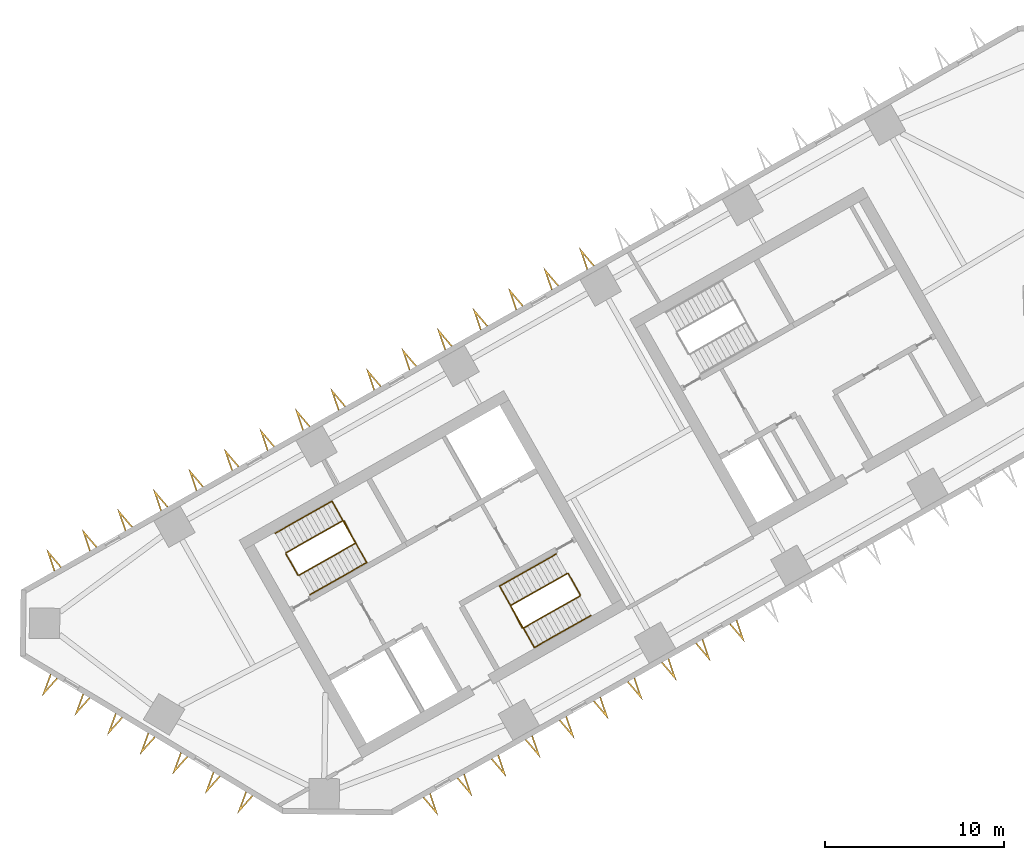
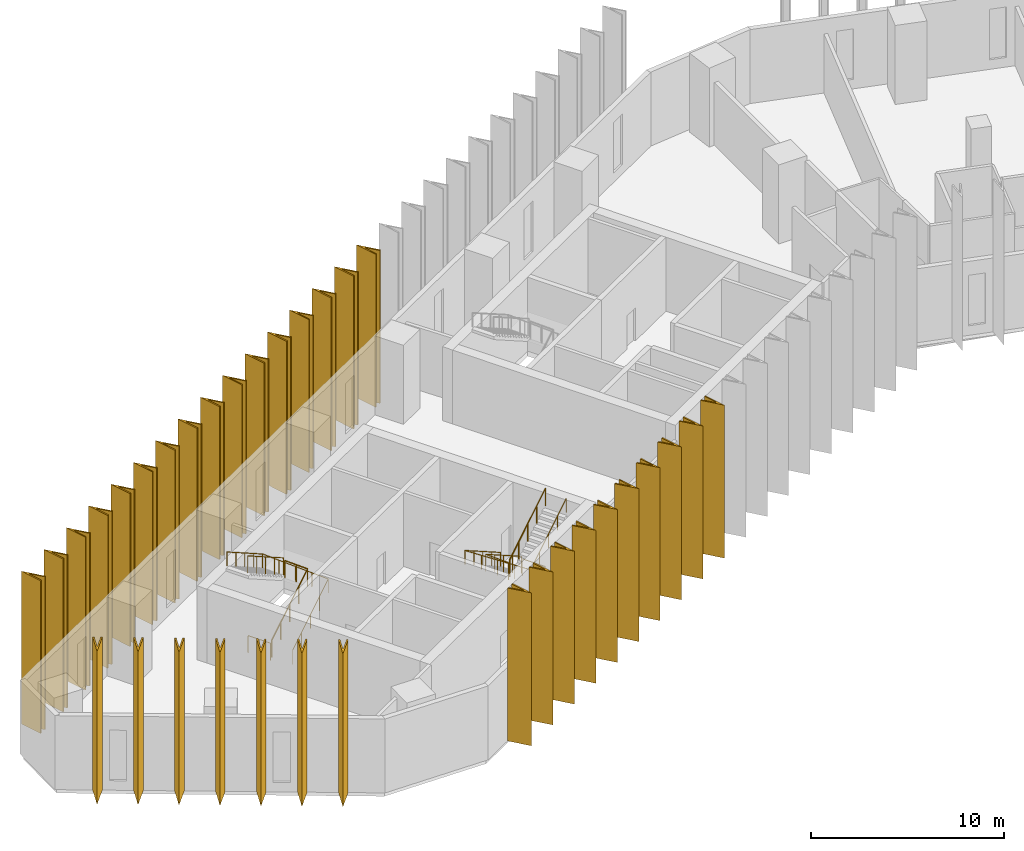
# One storey, part 9 of 11: 33 shading devices, 8 railings.
"""IFC4 building model written with IfcOpenShell, lengths in metres."""

from ifc_helpers import new_model, si_unit, direction, frame, origin, origin_2d, place, context, subcontext, project, spatial, polyline, circle, outline, extrude, material, type_object, element, save


model = new_model("IFC4")

# Units and contexts
model_context = context("Model", 3, precision=1e-05, world=origin(), true_north=direction((0.0, 1.0)))
body_context = subcontext(model_context, "Body", "Model", "MODEL_VIEW")
ifc_project = project(units=[si_unit("LENGTHUNIT", "METRE"), si_unit("AREAUNIT", "SQUARE_METRE"), si_unit("VOLUMEUNIT", "CUBIC_METRE"), si_unit("PLANEANGLEUNIT", "RADIAN"), si_unit("MASSUNIT", "GRAM", prefix="KILO")], contexts=[model_context])

# Site, building, storey
site_placement = place(None, origin())
site = spatial("IfcSite", under=ifc_project, at=site_placement, CompositionType="ELEMENT")
building_placement = place(site_placement, origin())
building = spatial("IfcBuilding", under=site, at=building_placement, Name="Binnacle Exchange Tower", CompositionType="ELEMENT")
storey_placement = place(building_placement, frame((0.0, 0.0, 76.5)))
storey = spatial("IfcBuildingStorey", under=building, at=storey_placement, Name="L15", CompositionType="ELEMENT", Elevation=76.5)

# Railings
ifc_material_1 = material(Name="Steel guard rail", Category="steel")
railing_type_1 = type_object("IfcRailingType", Name="STAIR GUARD 1100", PredefinedType="GUARDRAIL", material=ifc_material_1)
railing_1_placement = place(storey_placement, frame((-43.26171875, 39.71728515625, 0.178466796875)))
element("IfcRailing", 1, at=railing_1_placement, inside=storey, type_object=railing_type_1, Name="L15 STA1 stair guard 1", PredefinedType="GUARDRAIL", context=body_context, shape_type="SweptSolid", body=[
    extrude(circle(Radius=0.02392578125, at=origin_2d()), frame((0.0, 0.0, 1.076171875), z_axis=(0.733795554141, 0.415191658331, 0.537735968274), x_axis=(-0.492450612189, 0.870340390052, 0.0)), (0.0, 0.0, 1.0), 4.317138671875),
    extrude(circle(Radius=0.02392578125, at=origin_2d()), frame((3.16796875, 1.79248046875, 3.3974609375), z_axis=(-0.460963092712, 0.887419307406, 0.0), x_axis=(-0.887419307406, -0.460963092712, 0.0)), (0.0, 0.0, 1.0), 1.40087890625),
    extrude(circle(Radius=0.02099609375, at=origin_2d()), origin(), (0.0, 0.0, 1.0), 1.052001953125),
    extrude(circle(Radius=0.02099609375, at=origin_2d()), frame((0.7919921875, 0.4482421875, 0.580322265625)), (0.0, 0.0, 1.0), 1.052001953125),
    extrude(circle(Radius=0.02099609375, at=origin_2d()), frame((1.583984375, 0.896240234375, 1.16064453125)), (0.0, 0.0, 1.0), 1.052001953125),
    extrude(circle(Radius=0.02099609375, at=origin_2d()), frame((2.3759765625, 1.34423828125, 1.7412109375)), (0.0, 0.0, 1.0), 1.052001953125),
    extrude(circle(Radius=0.02099609375, at=origin_2d()), frame((3.16796875, 1.79248046875, 2.321533203125)), (0.0, 0.0, 1.0), 1.052001953125),
    extrude(circle(Radius=0.02099609375, at=origin_2d()), frame((2.84521484375, 2.4140625, 2.321533203125)), (0.0, 0.0, 1.0), 1.052001953125),
    extrude(circle(Radius=0.02099609375, at=origin_2d()), frame((2.522216796875, 3.03564453125, 2.321533203125)), (0.0, 0.0, 1.0), 1.052001953125),
])
railing_2_placement = place(storey_placement, frame((-40.8076171875, 42.771728515625, 2.678466796875)))
element("IfcRailing", 2, at=railing_2_placement, inside=storey, type_object=railing_type_1, Name="L15 STA1 stair guard 2", PredefinedType="GUARDRAIL", context=body_context, shape_type="SweptSolid", body=[
    extrude(circle(Radius=0.02392578125, at=origin_2d()), frame((0.0, 0.0, 1.076171875), z_axis=(-0.733821652932, -0.415174429824, 0.537713654753), x_axis=(0.492421866095, -0.870356654361, 0.0)), (0.0, 0.0, 1.0), 4.3173828125),
    extrude(circle(Radius=0.02099609375, at=origin_2d()), origin(), (0.0, 0.0, 1.0), 1.052001953125),
    extrude(circle(Radius=0.02099609375, at=origin_2d()), frame((-0.7919921875, -0.4482421875, 0.580322265625)), (0.0, 0.0, 1.0), 1.052001953125),
    extrude(circle(Radius=0.02099609375, at=origin_2d()), frame((-1.583984375, -0.896240234375, 1.16064453125)), (0.0, 0.0, 1.0), 1.052001953125),
    extrude(circle(Radius=0.02099609375, at=origin_2d()), frame((-2.376220703125, -1.34423828125, 1.7412109375)), (0.0, 0.0, 1.0), 1.052001953125),
    extrude(circle(Radius=0.02099609375, at=origin_2d()), frame((-3.168212890625, -1.79248046875, 2.321533203125)), (0.0, 0.0, 1.0), 1.052001953125),
])
railing_3_placement = place(storey_placement, frame((-43.329833984375, 39.736328125, 0.0)))
element("IfcRailing", 3, at=railing_3_placement, inside=storey, type_object=railing_type_1, Name="L15 STA1 stair guard 3", PredefinedType="GUARDRAIL", context=body_context, shape_type="SweptSolid", body=[
    extrude(circle(Radius=0.02392578125, at=origin_2d()), frame((0.0, 0.0, 1.076171875), z_axis=(-0.4924922531, 0.870316827734, 0.0), x_axis=(-0.870316827734, -0.4924922531, 0.0)), (0.0, 0.0, 1.0), 1.349853515625),
    extrude(circle(Radius=0.02099609375, at=origin_2d()), origin(), (0.0, 0.0, 1.0), 1.052001953125),
    extrude(circle(Radius=0.02099609375, at=origin_2d()), frame((-0.33251953125, 0.58740234375, 0.0)), (0.0, 0.0, 1.0), 1.052001953125),
    extrude(circle(Radius=0.02099609375, at=origin_2d()), frame((-0.664794921875, 1.1748046875, 0.0)), (0.0, 0.0, 1.0), 1.052001953125),
])
railing_4_placement = place(storey_placement, frame((-28.265380859375, 39.814453125, 0.178466796875)))
element("IfcRailing", 4, at=railing_4_placement, inside=storey, type_object=railing_type_1, Name="L15 STA2 stair guard 1", PredefinedType="GUARDRAIL", context=body_context, shape_type="SweptSolid", body=[
    extrude(circle(Radius=0.02392578125, at=origin_2d()), frame((0.0, 0.0, 1.076171875), z_axis=(-0.733821652932, -0.415174429824, 0.537713654753), x_axis=(0.492421866095, -0.870356654361, 0.0)), (0.0, 0.0, 1.0), 4.3173828125),
    extrude(circle(Radius=0.02392578125, at=origin_2d()), frame((-3.168212890625, -1.79248046875, 3.3974609375), z_axis=(0.461100321709, -0.887348011391, 0.0), x_axis=(0.887348011391, 0.461100321709, 0.0)), (0.0, 0.0, 1.0), 1.40087890625),
    extrude(circle(Radius=0.02099609375, at=origin_2d()), origin(), (0.0, 0.0, 1.0), 1.052001953125),
    extrude(circle(Radius=0.02099609375, at=origin_2d()), frame((-0.7919921875, -0.4482421875, 0.580322265625)), (0.0, 0.0, 1.0), 1.052001953125),
    extrude(circle(Radius=0.02099609375, at=origin_2d()), frame((-1.583984375, -0.896240234375, 1.16064453125)), (0.0, 0.0, 1.0), 1.052001953125),
    extrude(circle(Radius=0.02099609375, at=origin_2d()), frame((-2.376220703125, -1.34423828125, 1.7412109375)), (0.0, 0.0, 1.0), 1.052001953125),
    extrude(circle(Radius=0.02099609375, at=origin_2d()), frame((-3.168212890625, -1.79248046875, 2.321533203125)), (0.0, 0.0, 1.0), 1.052001953125),
    extrude(circle(Radius=0.02099609375, at=origin_2d()), frame((-2.84521484375, -2.4140625, 2.321533203125)), (0.0, 0.0, 1.0), 1.052001953125),
    extrude(circle(Radius=0.02099609375, at=origin_2d()), frame((-2.522216796875, -3.03564453125, 2.321533203125)), (0.0, 0.0, 1.0), 1.052001953125),
])
railing_5_placement = place(storey_placement, frame((-30.719482421875, 36.760009765625, 2.678466796875)))
element("IfcRailing", 5, at=railing_5_placement, inside=storey, type_object=railing_type_1, Name="L15 STA2 stair guard 2", PredefinedType="GUARDRAIL", context=body_context, shape_type="SweptSolid", body=[
    extrude(circle(Radius=0.02392578125, at=origin_2d()), frame((0.0, 0.0, 1.076171875), z_axis=(0.733795554141, 0.415191658331, 0.537735968274), x_axis=(-0.492450612189, 0.870340390052, 0.0)), (0.0, 0.0, 1.0), 4.317138671875),
    extrude(circle(Radius=0.02099609375, at=origin_2d()), origin(), (0.0, 0.0, 1.0), 1.052001953125),
    extrude(circle(Radius=0.02099609375, at=origin_2d()), frame((0.7919921875, 0.4482421875, 0.580322265625)), (0.0, 0.0, 1.0), 1.052001953125),
    extrude(circle(Radius=0.02099609375, at=origin_2d()), frame((1.583984375, 0.896240234375, 1.16064453125)), (0.0, 0.0, 1.0), 1.052001953125),
    extrude(circle(Radius=0.02099609375, at=origin_2d()), frame((2.3759765625, 1.34423828125, 1.7412109375)), (0.0, 0.0, 1.0), 1.052001953125),
    extrude(circle(Radius=0.02099609375, at=origin_2d()), frame((3.16796875, 1.79248046875, 2.321533203125)), (0.0, 0.0, 1.0), 1.052001953125),
])
railing_6_placement = place(storey_placement, frame((-28.197265625, 39.795654296875, 0.0)))
element("IfcRailing", 6, at=railing_6_placement, inside=storey, type_object=railing_type_1, Name="L15 STA2 stair guard 3", PredefinedType="GUARDRAIL", context=body_context, shape_type="SweptSolid", body=[
    extrude(circle(Radius=0.02392578125, at=origin_2d()), frame((0.0, 0.0, 1.076171875), z_axis=(0.49241474071, -0.870360685654, 0.0), x_axis=(0.870360685654, 0.49241474071, 0.0)), (0.0, 0.0, 1.0), 1.35009765625),
    extrude(circle(Radius=0.02099609375, at=origin_2d()), origin(), (0.0, 0.0, 1.0), 1.052001953125),
    extrude(circle(Radius=0.02099609375, at=origin_2d()), frame((0.33251953125, -0.58740234375, 0.0)), (0.0, 0.0, 1.0), 1.052001953125),
    extrude(circle(Radius=0.02099609375, at=origin_2d()), frame((0.664794921875, -1.175048828125, 0.0)), (0.0, 0.0, 1.0), 1.052001953125),
])
ifc_material_2 = material(Name="Steel handrail", Category="steel")
railing_type_2 = type_object("IfcRailingType", Name="STAIR HANDRAIL 900", PredefinedType="HANDRAIL", material=ifc_material_2)
railing_7_placement = place(storey_placement, frame((-42.646240234375, 38.62939453125, 0.178466796875)))
element("IfcRailing", 7, at=railing_7_placement, inside=storey, type_object=railing_type_2, Name="L15 STA1 stair handrail 1", PredefinedType="HANDRAIL", context=body_context, shape_type="SweptSolid", body=[
    extrude(circle(Radius=0.02392578125, at=origin_2d()), frame((0.0, 0.0, 0.8759765625), z_axis=(0.733821652932, 0.415174429824, 0.537713654753), x_axis=(-0.492421866095, 0.870356654361, 0.0)), (0.0, 0.0, 1.0), 4.3173828125),
    extrude(circle(Radius=0.02392578125, at=origin_2d()), frame((3.168212890625, 1.79248046875, 3.197265625), z_axis=(-0.491985021148, 0.869432866815, 0.045135674003), x_axis=(-0.870319839224, -0.492486931251, 0.0)), (0.0, 0.0, 1.0), 3.9541015625),
    extrude(circle(Radius=0.02392578125, at=origin_2d()), frame((1.222900390625, 5.230224609375, 3.3759765625), z_axis=(-0.733812782489, -0.415144854829, 0.537748593457), x_axis=(0.492399802317, -0.870369137021, 0.0)), (0.0, 0.0, 1.0), 4.317138671875),
    extrude(circle(Radius=0.02099609375, at=origin_2d()), origin(), (0.0, 0.0, 1.0), 0.851806640625),
    extrude(circle(Radius=0.02099609375, at=origin_2d()), frame((0.7919921875, 0.4482421875, 0.580322265625)), (0.0, 0.0, 1.0), 0.851806640625),
    extrude(circle(Radius=0.02099609375, at=origin_2d()), frame((1.583984375, 0.896240234375, 1.16064453125)), (0.0, 0.0, 1.0), 0.851806640625),
    extrude(circle(Radius=0.02099609375, at=origin_2d()), frame((2.376220703125, 1.34423828125, 1.7412109375)), (0.0, 0.0, 1.0), 0.851806640625),
    extrude(circle(Radius=0.02099609375, at=origin_2d()), frame((3.168212890625, 1.79248046875, 2.321533203125)), (0.0, 0.0, 1.0), 0.851806640625),
    extrude(circle(Radius=0.02099609375, at=origin_2d()), frame((2.681884765625, 2.65185546875, 2.3662109375)), (0.0, 0.0, 1.0), 0.851806640625),
    extrude(circle(Radius=0.02099609375, at=origin_2d()), frame((2.195556640625, 3.51123046875, 2.41064453125)), (0.0, 0.0, 1.0), 0.851806640625),
    extrude(circle(Radius=0.02099609375, at=origin_2d()), frame((1.709228515625, 4.370849609375, 2.455322265625)), (0.0, 0.0, 1.0), 0.851806640625),
    extrude(circle(Radius=0.02099609375, at=origin_2d()), frame((1.222900390625, 5.230224609375, 2.5)), (0.0, 0.0, 1.0), 0.851806640625),
    extrude(circle(Radius=0.02099609375, at=origin_2d()), frame((0.430908203125, 4.7822265625, 3.080322265625)), (0.0, 0.0, 1.0), 0.851806640625),
    extrude(circle(Radius=0.02099609375, at=origin_2d()), frame((-0.361083984375, 4.333984375, 3.66064453125)), (0.0, 0.0, 1.0), 0.851806640625),
    extrude(circle(Radius=0.02099609375, at=origin_2d()), frame((-1.153076171875, 3.885986328125, 4.2412109375)), (0.0, 0.0, 1.0), 0.851806640625),
    extrude(circle(Radius=0.02099609375, at=origin_2d()), frame((-1.945068359375, 3.43798828125, 4.821533203125)), (0.0, 0.0, 1.0), 0.851806640625),
])
railing_8_placement = place(storey_placement, frame((-28.880859375, 40.90234375, 0.178466796875)))
element("IfcRailing", 8, at=railing_8_placement, inside=storey, type_object=railing_type_2, Name="L15 STA2 stair handrail 1", PredefinedType="HANDRAIL", context=body_context, shape_type="SweptSolid", body=[
    extrude(circle(Radius=0.02392578125, at=origin_2d()), frame((0.0, 0.0, 0.8759765625), z_axis=(-0.733838880464, -0.415127627455, 0.537726278364), x_axis=(0.492371057291, -0.870385398511, 0.0)), (0.0, 0.0, 1.0), 4.3173828125),
    extrude(circle(Radius=0.02392578125, at=origin_2d()), frame((-3.168212890625, -1.792236328125, 3.197265625), z_axis=(0.491911810019, -0.86947434526, 0.045134621956), x_axis=(0.870361318571, 0.492413622004, 0.0)), (0.0, 0.0, 1.0), 3.9541015625),
    extrude(circle(Radius=0.02392578125, at=origin_2d()), frame((-1.22314453125, -5.230224609375, 3.3759765625), z_axis=(0.733821652932, 0.415174429824, 0.537713654753), x_axis=(-0.492421866095, 0.870356654361, 0.0)), (0.0, 0.0, 1.0), 4.3173828125),
    extrude(circle(Radius=0.02099609375, at=origin_2d()), origin(), (0.0, 0.0, 1.0), 0.851806640625),
    extrude(circle(Radius=0.02099609375, at=origin_2d()), frame((-0.7919921875, -0.447998046875, 0.580322265625)), (0.0, 0.0, 1.0), 0.851806640625),
    extrude(circle(Radius=0.02099609375, at=origin_2d()), frame((-1.583984375, -0.89599609375, 1.16064453125)), (0.0, 0.0, 1.0), 0.851806640625),
    extrude(circle(Radius=0.02099609375, at=origin_2d()), frame((-2.376220703125, -1.34423828125, 1.7412109375)), (0.0, 0.0, 1.0), 0.851806640625),
    extrude(circle(Radius=0.02099609375, at=origin_2d()), frame((-3.168212890625, -1.792236328125, 2.321533203125)), (0.0, 0.0, 1.0), 0.851806640625),
    extrude(circle(Radius=0.02099609375, at=origin_2d()), frame((-2.681884765625, -2.65185546875, 2.3662109375)), (0.0, 0.0, 1.0), 0.851806640625),
    extrude(circle(Radius=0.02099609375, at=origin_2d()), frame((-2.19580078125, -3.51123046875, 2.41064453125)), (0.0, 0.0, 1.0), 0.851806640625),
    extrude(circle(Radius=0.02099609375, at=origin_2d()), frame((-1.70947265625, -4.37060546875, 2.455322265625)), (0.0, 0.0, 1.0), 0.851806640625),
    extrude(circle(Radius=0.02099609375, at=origin_2d()), frame((-1.22314453125, -5.230224609375, 2.5)), (0.0, 0.0, 1.0), 0.851806640625),
    extrude(circle(Radius=0.02099609375, at=origin_2d()), frame((-0.43115234375, -4.7822265625, 3.080322265625)), (0.0, 0.0, 1.0), 0.851806640625),
    extrude(circle(Radius=0.02099609375, at=origin_2d()), frame((0.36083984375, -4.333984375, 3.66064453125)), (0.0, 0.0, 1.0), 0.851806640625),
    extrude(circle(Radius=0.02099609375, at=origin_2d()), frame((1.153076171875, -3.8857421875, 4.2412109375)), (0.0, 0.0, 1.0), 0.851806640625),
    extrude(circle(Radius=0.02099609375, at=origin_2d()), frame((1.945068359375, -3.437744140625, 4.821533203125)), (0.0, 0.0, 1.0), 0.851806640625),
])

# Shading devices
ifc_material_3 = material(Name="Bronze aluminium cladding", Category="aluminium")
shading_device_type = type_object("IfcShadingDeviceType", Name="V FIN 1300 DEEP x 9680 HIGH", PredefinedType="USERDEFINED", material=ifc_material_3)
shading_device_1_placement = place(storey_placement, origin())
element("IfcShadingDevice", 9, at=shading_device_1_placement, inside=storey, type_object=shading_device_type, Name="V fin FN-F03-12 L15", ObjectType="FIN", PredefinedType="USERDEFINED", context=body_context, shape_type="SweptSolid", body=[
    extrude(outline(polyline([(-26.7412109375, 57.04296875), (-27.59912109375, 58.05126953125), (-27.176513671875, 56.796630859375), (-27.10546875, 56.8369140625), (-27.390380859375, 57.6826171875), (-26.81201171875, 57.002685546875), (-26.7412109375, 57.04296875)])), origin(), (0.0, 0.0, 1.0), 9.679931640625),
])
shading_device_2_placement = place(storey_placement, origin())
element("IfcShadingDevice", 10, at=shading_device_2_placement, inside=storey, type_object=shading_device_type, Name="V fin FN-F03-13 L15", ObjectType="FIN", PredefinedType="USERDEFINED", context=body_context, shape_type="SweptSolid", body=[
    extrude(outline(polyline([(-28.727783203125, 55.9189453125), (-29.58544921875, 56.92724609375), (-29.162841796875, 55.672607421875), (-29.092041015625, 55.712890625), (-29.376708984375, 56.55859375), (-28.798583984375, 55.87890625), (-28.727783203125, 55.9189453125)])), origin(), (0.0, 0.0, 1.0), 9.679931640625),
])
shading_device_3_placement = place(storey_placement, origin())
element("IfcShadingDevice", 11, at=shading_device_3_placement, inside=storey, type_object=shading_device_type, Name="V fin FN-F03-14 L15", ObjectType="FIN", PredefinedType="USERDEFINED", context=body_context, shape_type="SweptSolid", body=[
    extrude(outline(polyline([(-30.71435546875, 54.794921875), (-31.572021484375, 55.803466796875), (-31.1494140625, 54.548828125), (-31.07861328125, 54.5888671875), (-31.36328125, 55.434814453125), (-30.78515625, 54.7548828125), (-30.71435546875, 54.794921875)])), origin(), (0.0, 0.0, 1.0), 9.679931640625),
])
shading_device_4_placement = place(storey_placement, origin())
element("IfcShadingDevice", 12, at=shading_device_4_placement, inside=storey, type_object=shading_device_type, Name="V fin FN-F03-15 L15", ObjectType="FIN", PredefinedType="USERDEFINED", context=body_context, shape_type="SweptSolid", body=[
    extrude(outline(polyline([(-32.70068359375, 53.6708984375), (-33.55859375, 54.679443359375), (-33.135986328125, 53.4248046875), (-33.065185546875, 53.46484375), (-33.349853515625, 54.310791015625), (-32.771728515625, 53.630859375), (-32.70068359375, 53.6708984375)])), origin(), (0.0, 0.0, 1.0), 9.679931640625),
])
shading_device_5_placement = place(storey_placement, origin())
element("IfcShadingDevice", 13, at=shading_device_5_placement, inside=storey, type_object=shading_device_type, Name="V fin FN-F03-16 L15", ObjectType="FIN", PredefinedType="USERDEFINED", context=body_context, shape_type="SweptSolid", body=[
    extrude(outline(polyline([(-34.687255859375, 52.547119140625), (-35.545166015625, 53.555419921875), (-35.12255859375, 52.30078125), (-35.051513671875, 52.341064453125), (-35.33642578125, 53.186767578125), (-34.75830078125, 52.507080078125), (-34.687255859375, 52.547119140625)])), origin(), (0.0, 0.0, 1.0), 9.679931640625),
])
shading_device_6_placement = place(storey_placement, origin())
element("IfcShadingDevice", 14, at=shading_device_6_placement, inside=storey, type_object=shading_device_type, Name="V fin FN-F03-17 L15", ObjectType="FIN", PredefinedType="USERDEFINED", context=body_context, shape_type="SweptSolid", body=[
    extrude(outline(polyline([(-36.673828125, 51.423095703125), (-37.53173828125, 52.431640625), (-37.109130859375, 51.177001953125), (-37.0380859375, 51.217041015625), (-37.322998046875, 52.06298828125), (-36.744873046875, 51.383056640625), (-36.673828125, 51.423095703125)])), origin(), (0.0, 0.0, 1.0), 9.679931640625),
])
shading_device_7_placement = place(storey_placement, origin())
element("IfcShadingDevice", 15, at=shading_device_7_placement, inside=storey, type_object=shading_device_type, Name="V fin FN-F03-18 L15", ObjectType="FIN", PredefinedType="USERDEFINED", context=body_context, shape_type="SweptSolid", body=[
    extrude(outline(polyline([(-38.660400390625, 50.29931640625), (-39.518310546875, 51.3076171875), (-39.095703125, 50.052978515625), (-39.02490234375, 50.093017578125), (-39.3095703125, 50.93896484375), (-38.7314453125, 50.259033203125), (-38.660400390625, 50.29931640625)])), origin(), (0.0, 0.0, 1.0), 9.679931640625),
])
shading_device_8_placement = place(storey_placement, origin())
element("IfcShadingDevice", 16, at=shading_device_8_placement, inside=storey, type_object=shading_device_type, Name="V fin FN-F03-19 L15", ObjectType="FIN", PredefinedType="USERDEFINED", context=body_context, shape_type="SweptSolid", body=[
    extrude(outline(polyline([(-40.64697265625, 49.17529296875), (-41.5048828125, 50.18359375), (-41.082275390625, 48.92919921875), (-41.01123046875, 48.96923828125), (-41.296142578125, 49.81494140625), (-40.718017578125, 49.13525390625), (-40.64697265625, 49.17529296875)])), origin(), (0.0, 0.0, 1.0), 9.679931640625),
])
shading_device_9_placement = place(storey_placement, origin())
element("IfcShadingDevice", 17, at=shading_device_9_placement, inside=storey, type_object=shading_device_type, Name="V fin FN-F03-20 L15", ObjectType="FIN", PredefinedType="USERDEFINED", context=body_context, shape_type="SweptSolid", body=[
    extrude(outline(polyline([(-42.633544921875, 48.05126953125), (-43.491455078125, 49.059814453125), (-43.06884765625, 47.80517578125), (-42.997802734375, 47.84521484375), (-43.28271484375, 48.69091796875), (-42.70458984375, 48.01123046875), (-42.633544921875, 48.05126953125)])), origin(), (0.0, 0.0, 1.0), 9.679931640625),
])
shading_device_10_placement = place(storey_placement, origin())
element("IfcShadingDevice", 18, at=shading_device_10_placement, inside=storey, type_object=shading_device_type, Name="V fin FN-F03-21 L15", ObjectType="FIN", PredefinedType="USERDEFINED", context=body_context, shape_type="SweptSolid", body=[
    extrude(outline(polyline([(-44.6201171875, 46.927490234375), (-45.47802734375, 47.935791015625), (-45.055419921875, 46.68115234375), (-44.984619140625, 46.72119140625), (-45.269287109375, 47.567138671875), (-44.691162109375, 46.88720703125), (-44.6201171875, 46.927490234375)])), origin(), (0.0, 0.0, 1.0), 9.679931640625),
])
shading_device_11_placement = place(storey_placement, origin())
element("IfcShadingDevice", 19, at=shading_device_11_placement, inside=storey, type_object=shading_device_type, Name="V fin FN-F03-22 L15", ObjectType="FIN", PredefinedType="USERDEFINED", context=body_context, shape_type="SweptSolid", body=[
    extrude(outline(polyline([(-46.606689453125, 45.803466796875), (-47.464599609375, 46.81201171875), (-47.0419921875, 45.557373046875), (-46.970947265625, 45.597412109375), (-47.255859375, 46.443115234375), (-46.677490234375, 45.763427734375), (-46.606689453125, 45.803466796875)])), origin(), (0.0, 0.0, 1.0), 9.679931640625),
])
shading_device_12_placement = place(storey_placement, origin())
element("IfcShadingDevice", 20, at=shading_device_12_placement, inside=storey, type_object=shading_device_type, Name="V fin FN-F03-23 L15", ObjectType="FIN", PredefinedType="USERDEFINED", context=body_context, shape_type="SweptSolid", body=[
    extrude(outline(polyline([(-48.59326171875, 44.679443359375), (-49.451171875, 45.68798828125), (-49.028564453125, 44.433349609375), (-48.95751953125, 44.473388671875), (-49.242431640625, 45.319091796875), (-48.664306640625, 44.639404296875), (-48.59326171875, 44.679443359375)])), origin(), (0.0, 0.0, 1.0), 9.679931640625),
])
shading_device_13_placement = place(storey_placement, origin())
element("IfcShadingDevice", 21, at=shading_device_13_placement, inside=storey, type_object=shading_device_type, Name="V fin FN-F03-24 L15", ObjectType="FIN", PredefinedType="USERDEFINED", context=body_context, shape_type="SweptSolid", body=[
    extrude(outline(polyline([(-50.579833984375, 43.5556640625), (-51.4375, 44.56396484375), (-51.014892578125, 43.309326171875), (-50.944091796875, 43.349609375), (-51.22900390625, 44.1953125), (-50.650634765625, 43.515380859375), (-50.579833984375, 43.5556640625)])), origin(), (0.0, 0.0, 1.0), 9.679931640625),
])
shading_device_14_placement = place(storey_placement, origin())
element("IfcShadingDevice", 22, at=shading_device_14_placement, inside=storey, type_object=shading_device_type, Name="V fin FN-F03-25 L15", ObjectType="FIN", PredefinedType="USERDEFINED", context=body_context, shape_type="SweptSolid", body=[
    extrude(outline(polyline([(-52.56640625, 42.431640625), (-53.42431640625, 43.440185546875), (-53.001708984375, 42.185546875), (-52.9306640625, 42.2255859375), (-53.215576171875, 43.0712890625), (-52.63720703125, 42.3916015625), (-52.56640625, 42.431640625)])), origin(), (0.0, 0.0, 1.0), 9.679931640625),
])
shading_device_15_placement = place(storey_placement, origin())
element("IfcShadingDevice", 23, at=shading_device_15_placement, inside=storey, type_object=shading_device_type, Name="V fin FN-F03-26 L15", ObjectType="FIN", PredefinedType="USERDEFINED", context=body_context, shape_type="SweptSolid", body=[
    extrude(outline(polyline([(-54.552978515625, 41.3076171875), (-55.410888671875, 42.316162109375), (-54.98828125, 41.0615234375), (-54.917236328125, 41.1015625), (-55.2021484375, 41.947509765625), (-54.623779296875, 41.267578125), (-54.552978515625, 41.3076171875)])), origin(), (0.0, 0.0, 1.0), 9.679931640625),
])
shading_device_16_placement = place(storey_placement, origin())
element("IfcShadingDevice", 24, at=shading_device_16_placement, inside=storey, type_object=shading_device_type, Name="V fin FN-F03-27 L15", ObjectType="FIN", PredefinedType="USERDEFINED", context=body_context, shape_type="SweptSolid", body=[
    extrude(outline(polyline([(-56.53955078125, 40.183837890625), (-57.397216796875, 41.192138671875), (-56.974609375, 39.9375), (-56.90380859375, 39.977783203125), (-57.188720703125, 40.823486328125), (-56.6103515625, 40.143798828125), (-56.53955078125, 40.183837890625)])), origin(), (0.0, 0.0, 1.0), 9.679931640625),
])
shading_device_17_placement = place(storey_placement, origin())
element("IfcShadingDevice", 25, at=shading_device_17_placement, inside=storey, type_object=shading_device_type, Name="V fin FN-F05-01 L15", ObjectType="FIN", PredefinedType="USERDEFINED", context=body_context, shape_type="SweptSolid", body=[
    extrude(outline(polyline([(-57.18603515625, 34.185791015625), (-57.641357421875, 32.94287109375), (-56.757568359375, 33.92822265625), (-56.827392578125, 33.97021484375), (-57.423095703125, 33.305908203125), (-57.1162109375, 34.143798828125), (-57.18603515625, 34.185791015625)])), origin(), (0.0, 0.0, 1.0), 9.679931640625),
])
shading_device_18_placement = place(storey_placement, origin())
element("IfcShadingDevice", 26, at=shading_device_18_placement, inside=storey, type_object=shading_device_type, Name="V fin FN-F05-02 L15", ObjectType="FIN", PredefinedType="USERDEFINED", context=body_context, shape_type="SweptSolid", body=[
    extrude(outline(polyline([(-55.364501953125, 33.09130859375), (-55.81982421875, 31.848388671875), (-54.93603515625, 32.833740234375), (-55.005859375, 32.875732421875), (-55.601806640625, 32.21142578125), (-55.294921875, 33.04931640625), (-55.364501953125, 33.09130859375)])), origin(), (0.0, 0.0, 1.0), 9.679931640625),
])
shading_device_19_placement = place(storey_placement, origin())
element("IfcShadingDevice", 27, at=shading_device_19_placement, inside=storey, type_object=shading_device_type, Name="V fin FN-F05-03 L15", ObjectType="FIN", PredefinedType="USERDEFINED", context=body_context, shape_type="SweptSolid", body=[
    extrude(outline(polyline([(-53.543212890625, 31.9970703125), (-53.998291015625, 30.75390625), (-53.114501953125, 31.739501953125), (-53.184326171875, 31.781494140625), (-53.7802734375, 31.116943359375), (-53.473388671875, 31.955078125), (-53.543212890625, 31.9970703125)])), origin(), (0.0, 0.0, 1.0), 9.679931640625),
])
shading_device_20_placement = place(storey_placement, origin())
element("IfcShadingDevice", 28, at=shading_device_20_placement, inside=storey, type_object=shading_device_type, Name="V fin FN-F05-04 L15", ObjectType="FIN", PredefinedType="USERDEFINED", context=body_context, shape_type="SweptSolid", body=[
    extrude(outline(polyline([(-51.7216796875, 30.902587890625), (-52.1767578125, 29.659423828125), (-51.29296875, 30.64501953125), (-51.36279296875, 30.68701171875), (-51.958740234375, 30.0224609375), (-51.65185546875, 30.860595703125), (-51.7216796875, 30.902587890625)])), origin(), (0.0, 0.0, 1.0), 9.679931640625),
])
shading_device_21_placement = place(storey_placement, origin())
element("IfcShadingDevice", 29, at=shading_device_21_placement, inside=storey, type_object=shading_device_type, Name="V fin FN-F05-05 L15", ObjectType="FIN", PredefinedType="USERDEFINED", context=body_context, shape_type="SweptSolid", body=[
    extrude(outline(polyline([(-49.900146484375, 29.80810546875), (-50.35546875, 28.56494140625), (-49.4716796875, 29.55029296875), (-49.54150390625, 29.59228515625), (-50.13720703125, 28.927978515625), (-49.830322265625, 29.76611328125), (-49.900146484375, 29.80810546875)])), origin(), (0.0, 0.0, 1.0), 9.679931640625),
])
shading_device_22_placement = place(storey_placement, origin())
element("IfcShadingDevice", 30, at=shading_device_22_placement, inside=storey, type_object=shading_device_type, Name="V fin FN-F05-06 L15", ObjectType="FIN", PredefinedType="USERDEFINED", context=body_context, shape_type="SweptSolid", body=[
    extrude(outline(polyline([(-48.07861328125, 28.713623046875), (-48.533935546875, 27.470458984375), (-47.650146484375, 28.4560546875), (-47.719970703125, 28.498046875), (-48.31591796875, 27.83349609375), (-48.0087890625, 28.671630859375), (-48.07861328125, 28.713623046875)])), origin(), (0.0, 0.0, 1.0), 9.679931640625),
])
shading_device_23_placement = place(storey_placement, origin())
element("IfcShadingDevice", 31, at=shading_device_23_placement, inside=storey, type_object=shading_device_type, Name="V fin FN-F05-07 L15", ObjectType="FIN", PredefinedType="USERDEFINED", context=body_context, shape_type="SweptSolid", body=[
    extrude(outline(polyline([(-46.257080078125, 27.619140625), (-46.71240234375, 26.3759765625), (-45.82861328125, 27.361572265625), (-45.8984375, 27.403564453125), (-46.494384765625, 26.739013671875), (-46.1875, 27.5771484375), (-46.257080078125, 27.619140625)])), origin(), (0.0, 0.0, 1.0), 9.679931640625),
])
shading_device_24_placement = place(storey_placement, origin())
element("IfcShadingDevice", 32, at=shading_device_24_placement, inside=storey, type_object=shading_device_type, Name="V fin FN-F07-01 L15", ObjectType="FIN", PredefinedType="USERDEFINED", context=body_context, shape_type="SweptSolid", body=[
    extrude(outline(polyline([(-36.336669921875, 27.269287109375), (-35.47900390625, 26.260986328125), (-35.901611328125, 27.515625), (-35.972412109375, 27.4755859375), (-35.6875, 26.629638671875), (-36.265869140625, 27.3095703125), (-36.336669921875, 27.269287109375)])), origin(), (0.0, 0.0, 1.0), 9.679931640625),
])
shading_device_25_placement = place(storey_placement, origin())
element("IfcShadingDevice", 33, at=shading_device_25_placement, inside=storey, type_object=shading_device_type, Name="V fin FN-F07-02 L15", ObjectType="FIN", PredefinedType="USERDEFINED", context=body_context, shape_type="SweptSolid", body=[
    extrude(outline(polyline([(-34.431640625, 28.34716796875), (-33.573974609375, 27.338623046875), (-33.99658203125, 28.59326171875), (-34.0673828125, 28.55322265625), (-33.78271484375, 27.70751953125), (-34.36083984375, 28.38720703125), (-34.431640625, 28.34716796875)])), origin(), (0.0, 0.0, 1.0), 9.679931640625),
])
shading_device_26_placement = place(storey_placement, origin())
element("IfcShadingDevice", 34, at=shading_device_26_placement, inside=storey, type_object=shading_device_type, Name="V fin FN-F07-03 L15", ObjectType="FIN", PredefinedType="USERDEFINED", context=body_context, shape_type="SweptSolid", body=[
    extrude(outline(polyline([(-32.52685546875, 29.4248046875), (-31.669189453125, 28.41650390625), (-32.091796875, 29.671142578125), (-32.16259765625, 29.631103515625), (-31.877685546875, 28.78515625), (-32.4560546875, 29.465087890625), (-32.52685546875, 29.4248046875)])), origin(), (0.0, 0.0, 1.0), 9.679931640625),
])
shading_device_27_placement = place(storey_placement, origin())
element("IfcShadingDevice", 35, at=shading_device_27_placement, inside=storey, type_object=shading_device_type, Name="V fin FN-F07-04 L15", ObjectType="FIN", PredefinedType="USERDEFINED", context=body_context, shape_type="SweptSolid", body=[
    extrude(outline(polyline([(-30.6220703125, 30.502685546875), (-29.76416015625, 29.494140625), (-30.186767578125, 30.748779296875), (-30.2578125, 30.708740234375), (-29.972900390625, 29.86279296875), (-30.551025390625, 30.542724609375), (-30.6220703125, 30.502685546875)])), origin(), (0.0, 0.0, 1.0), 9.679931640625),
])
shading_device_28_placement = place(storey_placement, origin())
element("IfcShadingDevice", 36, at=shading_device_28_placement, inside=storey, type_object=shading_device_type, Name="V fin FN-F07-05 L15", ObjectType="FIN", PredefinedType="USERDEFINED", context=body_context, shape_type="SweptSolid", body=[
    extrude(outline(polyline([(-28.717041015625, 31.580322265625), (-27.859375, 30.572021484375), (-28.281982421875, 31.826416015625), (-28.352783203125, 31.786376953125), (-28.068115234375, 30.940673828125), (-28.646240234375, 31.620361328125), (-28.717041015625, 31.580322265625)])), origin(), (0.0, 0.0, 1.0), 9.679931640625),
])
shading_device_29_placement = place(storey_placement, origin())
element("IfcShadingDevice", 37, at=shading_device_29_placement, inside=storey, type_object=shading_device_type, Name="V fin FN-F07-06 L15", ObjectType="FIN", PredefinedType="USERDEFINED", context=body_context, shape_type="SweptSolid", body=[
    extrude(outline(polyline([(-26.812255859375, 32.658203125), (-25.954345703125, 31.649658203125), (-26.376953125, 32.904296875), (-26.447998046875, 32.8642578125), (-26.1630859375, 32.018310546875), (-26.7412109375, 32.6982421875), (-26.812255859375, 32.658203125)])), origin(), (0.0, 0.0, 1.0), 9.679931640625),
])
shading_device_30_placement = place(storey_placement, origin())
element("IfcShadingDevice", 38, at=shading_device_30_placement, inside=storey, type_object=shading_device_type, Name="V fin FN-F07-07 L15", ObjectType="FIN", PredefinedType="USERDEFINED", context=body_context, shape_type="SweptSolid", body=[
    extrude(outline(polyline([(-24.9072265625, 33.73583984375), (-24.049560546875, 32.727294921875), (-24.47216796875, 33.98193359375), (-24.54296875, 33.94189453125), (-24.25830078125, 33.09619140625), (-24.83642578125, 33.77587890625), (-24.9072265625, 33.73583984375)])), origin(), (0.0, 0.0, 1.0), 9.679931640625),
])
shading_device_31_placement = place(storey_placement, origin())
element("IfcShadingDevice", 39, at=shading_device_31_placement, inside=storey, type_object=shading_device_type, Name="V fin FN-F07-08 L15", ObjectType="FIN", PredefinedType="USERDEFINED", context=body_context, shape_type="SweptSolid", body=[
    extrude(outline(polyline([(-23.00244140625, 34.8134765625), (-22.14453125, 33.80517578125), (-22.567138671875, 35.059814453125), (-22.63818359375, 35.01953125), (-22.353271484375, 34.173828125), (-22.931396484375, 34.853515625), (-23.00244140625, 34.8134765625)])), origin(), (0.0, 0.0, 1.0), 9.679931640625),
])
shading_device_32_placement = place(storey_placement, origin())
element("IfcShadingDevice", 40, at=shading_device_32_placement, inside=storey, type_object=shading_device_type, Name="V fin FN-F07-09 L15", ObjectType="FIN", PredefinedType="USERDEFINED", context=body_context, shape_type="SweptSolid", body=[
    extrude(outline(polyline([(-21.097412109375, 35.891357421875), (-20.23974609375, 34.8828125), (-20.662353515625, 36.137451171875), (-20.733154296875, 36.097412109375), (-20.448486328125, 35.251708984375), (-21.026611328125, 35.931396484375), (-21.097412109375, 35.891357421875)])), origin(), (0.0, 0.0, 1.0), 9.679931640625),
])
shading_device_33_placement = place(storey_placement, origin())
element("IfcShadingDevice", 41, at=shading_device_33_placement, inside=storey, type_object=shading_device_type, Name="V fin FN-F07-10 L15", ObjectType="FIN", PredefinedType="USERDEFINED", context=body_context, shape_type="SweptSolid", body=[
    extrude(outline(polyline([(-19.192626953125, 36.968994140625), (-18.334716796875, 35.960693359375), (-18.75732421875, 37.215087890625), (-18.828369140625, 37.175048828125), (-18.54345703125, 36.329345703125), (-19.12158203125, 37.009033203125), (-19.192626953125, 36.968994140625)])), origin(), (0.0, 0.0, 1.0), 9.679931640625),
])

save(model, "model.ifc")
